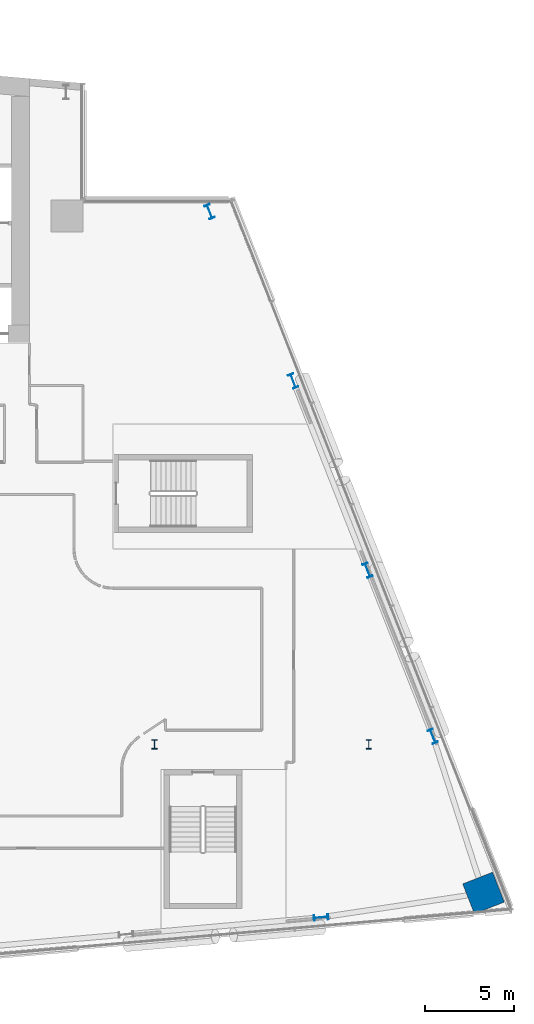
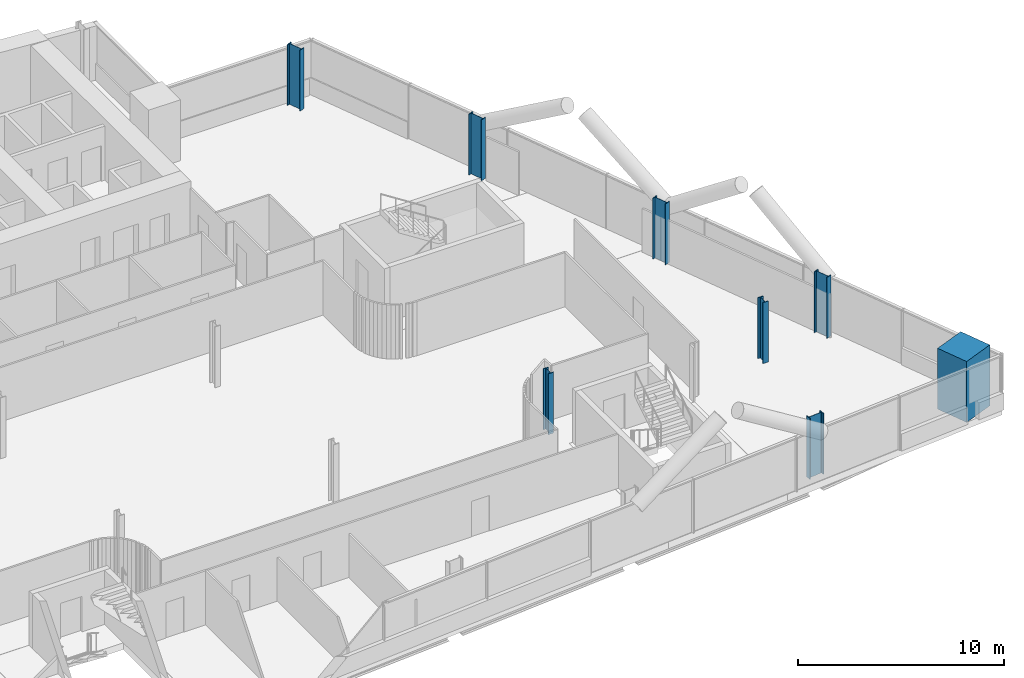
# One storey, part 4 of 30: 8 columns.
"""IFC4 building model written with IfcOpenShell, lengths in metres."""

from ifc_helpers import new_model, si_unit, direction, frame, origin, origin_2d, place, context, subcontext, project, spatial, rectangle, i_section, extrude, material, material_profile, profile_set, type_object, element, save


model = new_model("IFC4")

# Units and contexts
model_context = context("Model", 3, precision=1e-05, world=origin(), true_north=direction((0.0, 1.0)))
body_context = subcontext(model_context, "Body", "Model", "MODEL_VIEW")
ifc_project = project(units=[si_unit("LENGTHUNIT", "METRE"), si_unit("AREAUNIT", "SQUARE_METRE"), si_unit("VOLUMEUNIT", "CUBIC_METRE"), si_unit("PLANEANGLEUNIT", "RADIAN"), si_unit("MASSUNIT", "GRAM", prefix="KILO")], contexts=[model_context])

# Site, building, storey
site_placement = place(None, origin())
site = spatial("IfcSite", under=ifc_project, at=site_placement, CompositionType="ELEMENT")
building_placement = place(site_placement, origin())
building = spatial("IfcBuilding", under=site, at=building_placement, Name="Wharfspan Tower", CompositionType="ELEMENT")
storey_placement = place(building_placement, frame((0.0, 0.0, 107.5)))
storey = spatial("IfcBuildingStorey", under=building, at=storey_placement, Name="L24", CompositionType="ELEMENT", Elevation=107.5)

# Columns
ifc_material_1 = material(Name="Steel S355J2", Category="steel")
ifc_material_profile_1 = material_profile(ifc_material_1, i_section(OverallWidth=0.305908, OverallDepth=0.523926, WebThickness=0.020996, FlangeThickness=0.040039, FilletRadius=0.0271, at=origin_2d()))
ifc_profile_set_1 = profile_set([ifc_material_profile_1], Name="Steel S355J2")
column_type_1 = type_object("IfcColumnType", Name="Column HEM 500", PredefinedType="COLUMN", material=ifc_profile_set_1)
for number, where, z_axis, x_axis, name in (
    (1, (72.0, 11.5, 0.0), (0.0, 0.0, 1.0), (1.0, 0.0, 0.0), "Interior column I.1.6 L24"),
    (2, (84.0, 11.5, 0.0), (0.0, 0.0, 1.0), (1.0, 0.0, 0.0), "Interior column I.1.7 L24"),
):
    element("IfcColumn", number, at=place(storey_placement, frame(where, z_axis=z_axis, x_axis=x_axis)), inside=storey, type_object=column_type_1, Name=name, PredefinedType="COLUMN", context=body_context, shape_type="SweptSolid", body=[
        extrude(i_section(OverallWidth=0.305908, OverallDepth=0.523926, WebThickness=0.020996, FlangeThickness=0.040039, FilletRadius=0.0271, at=origin_2d()), origin(), (0.0, 0.0, 1.0), 3.600098),
    ])
ifc_material_profile_2 = material_profile(ifc_material_1, i_section(OverallWidth=0.302979, OverallDepth=0.813965, WebThickness=0.020996, FlangeThickness=0.040039, FilletRadius=0.030029, at=origin_2d()))
ifc_profile_set_2 = profile_set([ifc_material_profile_2], Name="Steel S355J2")
column_type_2 = type_object("IfcColumnType", Name="Column HEM 800", PredefinedType="COLUMN", material=ifc_profile_set_2)
for number, where, z_axis, x_axis, name in (
    (3, (81.327881, 1.80835, 0.0), (0.0, 0.0, 1.0), (0.087156, -0.996198, 0.0), "Perimeter column PS2.3 L24"),
    (4, (87.586914, 11.952393, 0.0), (0.0, 0.0, 1.0), (0.930702, 0.365778, 0.0), "Perimeter column PE.1 L24"),
    (5, (83.932617, 21.250977, 0.0), (0.0, 0.0, 1.0), (0.930702, 0.365778, 0.0), "Perimeter column PE.2 L24"),
    (6, (79.765869, 31.852539, 0.0), (0.0, 0.0, 1.0), (0.930702, 0.365778, 0.0), "Perimeter column PE.3 L24"),
    (7, (75.084961, 41.337646, 0.0), (0.0, 0.0, 1.0), (0.930702, 0.365778, 0.0), "Perimeter column PE.4 L24"),
):
    element("IfcColumn", number, at=place(storey_placement, frame(where, z_axis=z_axis, x_axis=x_axis)), inside=storey, type_object=column_type_2, Name=name, PredefinedType="COLUMN", context=body_context, shape_type="SweptSolid", body=[
        extrude(i_section(OverallWidth=0.302979, OverallDepth=0.813965, WebThickness=0.020996, FlangeThickness=0.040039, FilletRadius=0.030029, at=origin_2d()), origin(), (0.0, 0.0, 1.0), 3.600098),
    ])
ifc_material_2 = material(Name="Concrete C70/85", Category="concrete")
ifc_material_profile_3 = material_profile(ifc_material_2, rectangle(XDim=1.800049, YDim=1.800049, at=origin_2d()))
ifc_profile_set_3 = profile_set([ifc_material_profile_3], Name="Concrete C70/85")
column_type_3 = type_object("IfcColumnType", Name="Mega column 1800 C70/85", PredefinedType="COLUMN", material=ifc_profile_set_3)
column_placement = place(storey_placement, frame((90.427246, 3.174072, 0.0), z_axis=(0.0, 0.0, 1.0), x_axis=(-0.365778, 0.930702, 0.0)))
element("IfcColumn", 8, at=column_placement, inside=storey, type_object=column_type_3, Name="Mega column MC4 L24", PredefinedType="COLUMN", context=body_context, shape_type="SweptSolid", body=[
    extrude(rectangle(XDim=1.800049, YDim=1.800049, at=origin_2d()), origin(), (0.0, 0.0, 1.0), 3.600098),
])

save(model, "model.ifc")
